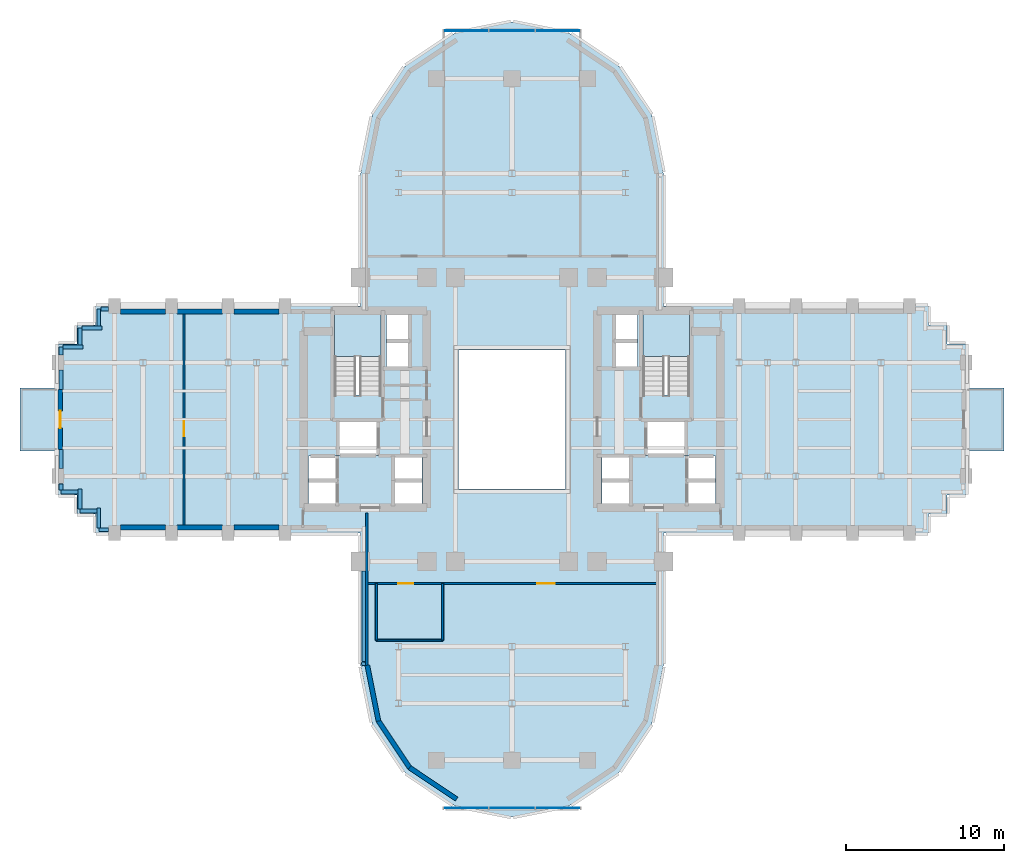
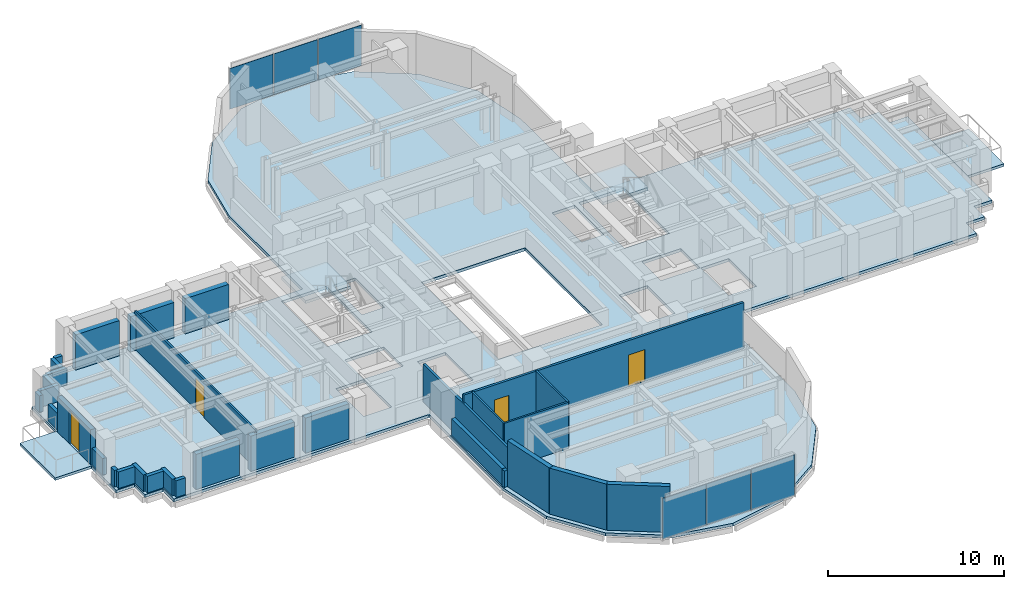
# One storey, part 8 of 14: 32 walls, 6 plates, 5 slabs, 4 doors, 4 openings, 4 elements without a shape of their own.
"""IFC4 building model written with IfcOpenShell, lengths in metres."""

from ifc_helpers import new_model, si_unit, direction, frame, frame_2d, origin, origin_2d, place, context, subcontext, project, spatial, polyline, rectangle, outline, extrude, source, transform, mapped, material, layer, layer_set, type_object, element, fill, aggregate, save


model = new_model("IFC4")

# Units and contexts
model_context = context("Model", 3, precision=1e-05, world=origin(), true_north=direction((0.0, 1.0)))
body_context = subcontext(model_context, "Body", "Model", "MODEL_VIEW")
ifc_project = project(units=[si_unit("LENGTHUNIT", "METRE"), si_unit("AREAUNIT", "SQUARE_METRE"), si_unit("VOLUMEUNIT", "CUBIC_METRE"), si_unit("PLANEANGLEUNIT", "RADIAN"), si_unit("MASSUNIT", "GRAM", prefix="KILO")], contexts=[model_context])

# Site, building, storey
site_placement = place(None, origin())
site = spatial("IfcSite", under=ifc_project, at=site_placement, CompositionType="ELEMENT")
building_placement = place(site_placement, origin())
building = spatial("IfcBuilding", under=site, at=building_placement, Name="Keilestroom Media Tower", CompositionType="ELEMENT")
storey_placement = place(building_placement, frame((0.0, 0.0, 44.199951171875)))
storey = spatial("IfcBuildingStorey", under=building, at=storey_placement, Name="L10", CompositionType="ELEMENT", Elevation=44.199951171875)

# Slabs
ifc_material_1 = material(Name="Concrete C50/60", Category="concrete")
ifc_layer_1 = layer(ifc_material_1, 0.199951171875)
ifc_layer_set_1 = layer_set([ifc_layer_1], Name="Concrete C50/60")
slab_type_1 = type_object("IfcSlabType", Name="Composite-Floor-Slab-200", PredefinedType="FLOOR", material=ifc_layer_set_1)
slab_1_placement = place(storey_placement, frame((0.0, 0.0, -0.199951171875)))
element("IfcSlab", 1, at=slab_1_placement, inside=storey, type_object=slab_type_1, Name="L10 Structural Composite Floor Slab", PredefinedType="FLOOR", context=body_context, shape_type="SweptSolid", body=[
    extrude(outline(polyline([(28.800048828125, -4.800048828125), (28.800048828125, 4.800048828125), (27.60009765625, 4.800048828125), (27.60009765625, 6.0), (26.39990234375, 6.0), (26.39990234375, 7.199951171875), (9.60009765625, 7.199951171875), (9.60009765625, 9.60009765625), (9.60009765625, 15.60009765625), (8.869140625, 19.273681640625), (6.7880859375, 22.38818359375), (3.673828125, 24.46923828125), (0.0, 25.199951171875), (-3.673828125, 24.46923828125), (-6.7880859375, 22.38818359375), (-8.869140625, 19.273681640625), (-9.60009765625, 15.60009765625), (-9.60009765625, 9.60009765625), (-9.60009765625, 7.199951171875), (-26.39990234375, 7.199951171875), (-26.39990234375, 6.0), (-27.60009765625, 6.0), (-27.60009765625, 4.800048828125), (-28.800048828125, 4.800048828125), (-28.800048828125, -4.800048828125), (-27.60009765625, -4.800048828125), (-27.60009765625, -6.0), (-26.39990234375, -6.0), (-26.39990234375, -7.199951171875), (-9.60009765625, -7.199951171875), (-9.60009765625, -9.60009765625), (-9.60009765625, -15.60009765625), (-8.869140625, -19.273681640625), (-6.7880859375, -22.38818359375), (-3.673828125, -24.46923828125), (0.0, -25.199951171875), (3.673828125, -24.46923828125), (6.7880859375, -22.38818359375), (8.869140625, -19.273681640625), (9.60009765625, -15.60009765625), (9.60009765625, -9.60009765625), (9.60009765625, -7.199951171875), (26.39990234375, -7.199951171875), (26.39990234375, -6.0), (27.60009765625, -6.0), (27.60009765625, -4.800048828125), (28.800048828125, -4.800048828125)]), holes=[polyline([(-12.919921875, -5.47998046875), (-12.919921875, -2.320068359375), (-11.080078125, -2.320068359375), (-11.080078125, -5.47998046875), (-12.919921875, -5.47998046875)]), polyline([(-11.260009765625, 1.544921875), (-11.260009765625, 6.760009765625), (-8.300048828125, 6.760009765625), (-8.300048828125, 1.544921875), (-11.260009765625, 1.544921875)]), polyline([(-11.050048828125, -2.280029296875), (-11.050048828125, -0.10009765625), (-8.47998046875, -0.10009765625), (-8.47998046875, -2.280029296875), (-11.050048828125, -2.280029296875)]), polyline([(-7.949951171875, 3.300048828125), (-7.949951171875, 6.64990234375), (-6.47998046875, 6.64990234375), (-6.47998046875, 3.300048828125), (-7.949951171875, 3.300048828125)]), polyline([(-7.56005859375, -5.47998046875), (-7.56005859375, -2.320068359375), (-5.719970703125, -2.320068359375), (-5.719970703125, -5.47998046875), (-7.56005859375, -5.47998046875)]), polyline([(-3.39990234375, -4.39990234375), (-3.39990234375, 4.39990234375), (3.39990234375, 4.39990234375), (3.39990234375, -4.39990234375), (-3.39990234375, -4.39990234375)]), polyline([(5.719970703125, -5.47998046875), (5.719970703125, -2.320068359375), (7.56005859375, -2.320068359375), (7.56005859375, -5.47998046875), (5.719970703125, -5.47998046875)]), polyline([(7.949951171875, 6.64990234375), (7.949951171875, 3.300048828125), (6.47998046875, 3.300048828125), (6.47998046875, 6.64990234375), (7.949951171875, 6.64990234375)]), polyline([(8.300048828125, 6.760009765625), (11.260009765625, 6.760009765625), (11.260009765625, 1.544921875), (8.300048828125, 1.544921875), (8.300048828125, 6.760009765625)]), polyline([(8.47998046875, -2.280029296875), (8.47998046875, -0.10009765625), (11.050048828125, -0.10009765625), (11.050048828125, -2.280029296875), (8.47998046875, -2.280029296875)]), polyline([(12.919921875, -5.47998046875), (11.080078125, -5.47998046875), (11.080078125, -2.320068359375), (12.919921875, -2.320068359375), (12.919921875, -5.47998046875)])]), origin(), (0.0, 0.0, 1.0), 0.199951171875),
])
ifc_material_2 = material(Name="Concrete C45/55", Category="concrete")
ifc_layer_2 = layer(ifc_material_2, 0.179931640625)
ifc_layer_set_2 = layer_set([ifc_layer_2], Name="Concrete C45/55")
slab_type_2 = type_object("IfcSlabType", Name="Exterior-Terrace-And-Sky-Garden-Slab-180", PredefinedType="FLOOR", material=ifc_layer_set_2)
slab_2_placement = place(storey_placement, frame((0.0, 0.0, -0.179931640625)))
element("IfcSlab", 2, at=slab_2_placement, inside=storey, type_object=slab_type_2, Name="L10 Winter-Garden Balcony Slab L10-BAL-W", PredefinedType="FLOOR", context=body_context, shape_type="SweptSolid", body=[
    extrude(outline(polyline([(-31.199951171875, -2.0), (-28.800048828125, -2.0), (-28.800048828125, 2.0), (-31.199951171875, 2.0), (-31.199951171875, -2.0)])), origin(), (0.0, 0.0, 1.0), 0.179931640625),
])
slab_3_placement = place(storey_placement, frame((0.0, 0.0, -0.179931640625)))
element("IfcSlab", 3, at=slab_3_placement, inside=storey, type_object=slab_type_2, Name="L10 Winter-Garden Balcony Slab L10-BAL-E", PredefinedType="FLOOR", context=body_context, shape_type="SweptSolid", body=[
    extrude(outline(polyline([(28.800048828125, -2.0), (31.199951171875, -2.0), (31.199951171875, 2.0), (28.800048828125, 2.0), (28.800048828125, -2.0)])), origin(), (0.0, 0.0, 1.0), 0.179931640625),
])

# Stair, slab
stair_type = type_object("IfcStairType", Name="Enclosed-Dog-Leg-Stair-ST-CORE", PredefinedType="HALF_TURN_STAIR", material=ifc_material_2)
stair_1_placement = place(storey_placement, origin())
stair_1 = element("IfcStair", 4, at=stair_1_placement, inside=storey, type_object=stair_type, Name="L10 West Core Escape Stair ST-1", PredefinedType="HALF_TURN_STAIR")
ifc_layer_3 = layer(ifc_material_2, 0.199951171875)
ifc_layer_set_3 = layer_set([ifc_layer_3], Name="Concrete C45/55")
slab_type_3 = type_object("IfcSlabType", Name="Stair-Intermediate-And-Top-Landing-Slab-200", PredefinedType="LANDING", material=ifc_layer_set_3)
slab_4_placement = place(storey_placement, frame((0.0, 0.0, 1.5)))
slab_4 = element("IfcSlab", 5, at=slab_4_placement, type_object=slab_type_3, Name="ST-1 landing 1", PredefinedType="LANDING", context=body_context, shape_type="SweptSolid", body=[
    extrude(outline(polyline([(-8.300048828125, 3.99609375), (-8.300048828125, 6.760009765625), (-11.260009765625, 6.760009765625), (-11.260009765625, 3.99609375), (-8.300048828125, 3.99609375)])), origin(), (0.0, 0.0, 1.0), 0.199951171875),
])
aggregate(stair_1, [slab_4])

stair_2_placement = place(storey_placement, origin())
stair_2 = element("IfcStair", 6, at=stair_2_placement, inside=storey, type_object=stair_type, Name="L10 East Core Escape Stair ST-2", PredefinedType="HALF_TURN_STAIR")
slab_5_placement = place(storey_placement, frame((0.0, 0.0, 1.5)))
slab_5 = element("IfcSlab", 7, at=slab_5_placement, type_object=slab_type_3, Name="ST-2 landing 1", PredefinedType="LANDING", context=body_context, shape_type="SweptSolid", body=[
    extrude(outline(polyline([(11.260009765625, 3.99609375), (11.260009765625, 6.760009765625), (8.300048828125, 6.760009765625), (8.300048828125, 3.99609375), (11.260009765625, 3.99609375)])), origin(), (0.0, 0.0, 1.0), 0.199951171875),
])
aggregate(stair_2, [slab_5])

# Curtain wall, plates
ifc_material_3 = material(Name="Anodised Aluminium Alloy", Category="aluminium")
curtain_wall_type = type_object("IfcCurtainWallType", Name="Unitised-Curtain-Wall-CW-6", PredefinedType="NOTDEFINED", material=ifc_material_3)
curtain_wall_1_placement = place(storey_placement, origin())
curtain_wall_1 = element("IfcCurtainWall", 8, at=curtain_wall_1_placement, inside=storey, type_object=curtain_wall_type, Name="L10 Curtain Wall CW-6 CW-L10-LN-1", PredefinedType="NOTDEFINED")
ifc_material_4 = material(Name="Curved-Facet Triple Glazed Unit", Category="glass")
ifc_layer_4 = layer(ifc_material_4, 0.033935546875)
ifc_layer_set_4 = layer_set([ifc_layer_4], Name="Curved-Facet Triple Glazed Unit")
plate_type = type_object("IfcPlateType", Name="Insulated-Curtain-Wall-Glazing-Panel-CW-6", PredefinedType="CURTAIN_PANEL", material=ifc_layer_set_4)
shared_shape_1 = source(origin(), body_context, "Body", "SweptSolid", [
    extrude(rectangle(XDim=2.84375, YDim=0.033935546875, at=origin_2d()), origin(), (0.0, 0.0, 1.0), 2.833984375),
])
plate_1_placement = place(storey_placement, frame((-2.9169921875, 24.64990234375, 0.072998046875), z_axis=(0.0, 0.0, 1.0), x_axis=(1.0, 0.0, 0.0)))
plate_1 = element("IfcPlate", 9, at=plate_1_placement, type_object=plate_type, Name="CW-6 Unitised Glazing 00", PredefinedType="CURTAIN_PANEL", context=body_context, shape_type="MappedRepresentation", body=[
    mapped(shared_shape_1, transform((0.0, 0.0, 0.0), x_axis=(1.0, 0.0, 0.0), y_axis=(0.0, 1.0, 0.0), z_axis=(0.0, 0.0, 1.0), scale=1.0)),
])
plate_2_placement = place(storey_placement, frame((2.9169921875, 24.64990234375, 0.072998046875), z_axis=(0.0, 0.0, 1.0), x_axis=(1.0, 0.0, 0.0)))
plate_2 = element("IfcPlate", 10, at=plate_2_placement, type_object=plate_type, Name="CW-6 Unitised Glazing 02", PredefinedType="CURTAIN_PANEL", context=body_context, shape_type="MappedRepresentation", body=[
    mapped(shared_shape_1, transform((0.0, 0.0, 0.0), x_axis=(1.0, 0.0, 0.0), y_axis=(0.0, 1.0, 0.0), z_axis=(0.0, 0.0, 1.0), scale=1.0)),
])

curtain_wall_2_placement = place(storey_placement, origin())
curtain_wall_2 = element("IfcCurtainWall", 11, at=curtain_wall_2_placement, inside=storey, type_object=curtain_wall_type, Name="L10 Curtain Wall CW-6 CW-L10-LS-1", PredefinedType="NOTDEFINED")
plate_3_placement = place(storey_placement, frame((-2.9169921875, -24.64990234375, 0.072998046875), z_axis=(0.0, 0.0, 1.0), x_axis=(1.0, 0.0, 0.0)))
plate_3 = element("IfcPlate", 12, at=plate_3_placement, type_object=plate_type, Name="CW-6 Unitised Glazing 00", PredefinedType="CURTAIN_PANEL", context=body_context, shape_type="MappedRepresentation", body=[
    mapped(shared_shape_1, transform((0.0, 0.0, 0.0), x_axis=(1.0, 0.0, 0.0), y_axis=(0.0, 1.0, 0.0), z_axis=(0.0, 0.0, 1.0), scale=1.0)),
])
plate_4_placement = place(storey_placement, frame((2.9169921875, -24.64990234375, 0.072998046875), z_axis=(0.0, 0.0, 1.0), x_axis=(1.0, 0.0, 0.0)))
plate_4 = element("IfcPlate", 13, at=plate_4_placement, type_object=plate_type, Name="CW-6 Unitised Glazing 02", PredefinedType="CURTAIN_PANEL", context=body_context, shape_type="MappedRepresentation", body=[
    mapped(shared_shape_1, transform((0.0, 0.0, 0.0), x_axis=(1.0, 0.0, 0.0), y_axis=(0.0, 1.0, 0.0), z_axis=(0.0, 0.0, 1.0), scale=1.0)),
])

# Plate
shared_shape_2 = source(origin(), body_context, "Body", "SweptSolid", [
    extrude(rectangle(XDim=2.876220703125, YDim=0.033935546875, at=origin_2d()), origin(), (0.0, 0.0, 1.0), 2.833984375),
])
plate_5_placement = place(storey_placement, frame((0.0, 24.64990234375, 0.072998046875), z_axis=(0.0, 0.0, 1.0), x_axis=(1.0, 0.0, 0.0)))
plate_5 = element("IfcPlate", 14, at=plate_5_placement, type_object=plate_type, Name="CW-6 Unitised Glazing 01", PredefinedType="CURTAIN_PANEL", context=body_context, shape_type="MappedRepresentation", body=[
    mapped(shared_shape_2, transform((0.0, 0.0, 0.0), x_axis=(1.0, 0.0, 0.0), y_axis=(0.0, 1.0, 0.0), z_axis=(0.0, 0.0, 1.0), scale=1.0)),
])

aggregate(curtain_wall_1, [plate_1, plate_5, plate_2])

plate_6_placement = place(storey_placement, frame((0.0, -24.64990234375, 0.072998046875), z_axis=(0.0, 0.0, 1.0), x_axis=(1.0, 0.0, 0.0)))
plate_6 = element("IfcPlate", 15, at=plate_6_placement, type_object=plate_type, Name="CW-6 Unitised Glazing 01", PredefinedType="CURTAIN_PANEL", context=body_context, shape_type="MappedRepresentation", body=[
    mapped(shared_shape_2, transform((0.0, 0.0, 0.0), x_axis=(1.0, 0.0, 0.0), y_axis=(0.0, 1.0, 0.0), z_axis=(0.0, 0.0, 1.0), scale=1.0)),
])

aggregate(curtain_wall_2, [plate_3, plate_6, plate_4])

# Walls
ifc_material_5 = material(Name="Precast concrete C40/50", Category="concrete")
ifc_layer_5 = layer(ifc_material_5, 0.300048828125)
ifc_layer_set_5 = layer_set([ifc_layer_5], Name="Precast concrete C40/50")
wall_type_1 = type_object("IfcWallType", Name="Exterior-Masonry-Spandrel-Wall-300", PredefinedType="SOLIDWALL", material=ifc_layer_set_5)
for number, where, z_axis, x_axis, name in (
    (16, (-9.1748046875, -15.585205078125, 0.0), (0.0, 0.0, 1.0), (0.195114232679, -0.980780523974, 0.0), "L10 Lobe Facet Precast Frame Wall 07"),
    (17, (-8.48193359375, -19.097412109375, 0.0), (0.0, 0.0, 1.0), (0.555574187116, -0.831466970246, 0.0), "L10 Lobe Facet Precast Frame Wall 08"),
):
    element("IfcWall", number, at=place(storey_placement, frame(where, z_axis=z_axis, x_axis=x_axis)), inside=storey, type_object=wall_type_1, Name=name, PredefinedType="SOLIDWALL", context=body_context, shape_type="SweptSolid", body=[
        extrude(rectangle(XDim=3.608642578125, YDim=0.300048828125, at=frame_2d((1.80419921875, 0.0))), origin(), (0.0, 0.0, 1.0), 3.199951171875),
    ])
wall_1_placement = place(storey_placement, frame((-6.497802734375, -22.0771484375, 0.0), z_axis=(0.0, 0.0, 1.0), x_axis=(0.8314749531, -0.555562239868, 0.0)))
element("IfcWall", 18, at=wall_1_placement, inside=storey, type_object=wall_type_1, Name="L10 Lobe Facet Precast Frame Wall 09", PredefinedType="SOLIDWALL", context=body_context, shape_type="SweptSolid", body=[
    extrude(rectangle(XDim=3.59326171875, YDim=0.300048828125, at=frame_2d((1.796630859375, 0.0))), origin(), (0.0, 0.0, 1.0), 3.199951171875),
])

# Wall, opening, door
wall_2_placement = place(storey_placement, frame((-28.64990234375, -1.89990234375, 0.0), z_axis=(0.0, 0.0, 1.0), x_axis=(0.0, 1.0, 0.0)))
wall_2 = element("IfcWall", 19, at=wall_2_placement, inside=storey, type_object=wall_type_1, Name="L10 Terrace Threshold Wall L10-W", PredefinedType="SOLIDWALL", context=body_context, shape_type="SweptSolid", body=[
    extrude(rectangle(XDim=3.7998046875, YDim=0.300048828125, at=frame_2d((1.89990234375, 0.0))), origin(), (0.0, 0.0, 1.0), 2.449951171875),
])
opening_1_placement = place(wall_2_placement, frame((1.35009765625, 0.0, 0.0)))
opening_1 = element("IfcOpeningElement", 20, at=opening_1_placement, cuts=wall_2, Name="Opening DE-02", PredefinedType="OPENING", context=body_context, shape_type="SweptSolid", body=[
    extrude(rectangle(XDim=1.10009765625, YDim=2.300048828125, at=frame_2d((0.550048828125, 1.14990234375))), frame((0.0, 0.16015625, 0.0), z_axis=(0.0, -1.0, 0.0), x_axis=(1.0, 0.0, 0.0)), (0.0, 0.0, 1.0), 0.320068359375),
])
ifc_material_6 = material(Name="Thermally Broken Aluminium & Laminated Glass", Category="aluminium")
door_type_1 = type_object("IfcDoorType", Name="Exterior-Entrance-And-Terrace-Door-DE-02", OperationType="NOTDEFINED", PredefinedType="DOOR", material=ifc_material_6)
shared_shape_3 = source(origin(), body_context, "Body", "SweptSolid", [
    extrude(rectangle(XDim=1.10009765625, YDim=2.300048828125, at=frame_2d((0.550048828125, 1.14990234375))), frame((0.0, 0.02490234375, 0.0), z_axis=(0.0, -1.0, 0.0), x_axis=(1.0, 0.0, 0.0)), (0.0, 0.0, 1.0), 0.050048828125),
])
door_1_placement = place(opening_1_placement, origin())
door_1 = element("IfcDoor", 21, at=door_1_placement, inside=storey, type_object=door_type_1, Name="L10 Terrace Access Door DE-02 L10-W", OperationType="SINGLE_SWING_LEFT", OverallHeight=2.300048828125, OverallWidth=1.10009765625, PredefinedType="DOOR", context=body_context, shape_type="MappedRepresentation", body=[
    mapped(shared_shape_3, transform((0.0, 0.0, 0.0), x_axis=(1.0, 0.0, 0.0), y_axis=(0.0, 1.0, 0.0), z_axis=(0.0, 0.0, 1.0), scale=1.0)),
])
fill(opening_1, door_1)

# Walls
ifc_layer_6 = layer(ifc_material_5, 0.340087890625)
ifc_layer_set_6 = layer_set([ifc_layer_6], Name="Precast concrete C40/50")
wall_type_2 = type_object("IfcWallType", Name="Exterior-Masonry-Spandrel-Wall-340", PredefinedType="SOLIDWALL", material=ifc_layer_set_6)
for number, where, z_axis, x_axis, name in (
    (22, (-24.8330078125, 6.85009765625, 0.0), (0.0, 0.0, 1.0), (1.0, 0.0, 0.0), "L10 Flank Masonry Wall EWL-L10-NW-1"),
    (23, (-21.23291015625, 6.85009765625, 0.0), (0.0, 0.0, 1.0), (1.0, 0.0, 0.0), "L10 Flank Masonry Wall EWL-L10-NW-2"),
    (24, (-17.633056640625, 6.85009765625, 0.0), (0.0, 0.0, 1.0), (1.0, 0.0, 0.0), "L10 Flank Masonry Wall EWL-L10-NW-3"),
    (25, (-24.8330078125, -6.85009765625, 0.0), (0.0, 0.0, 1.0), (1.0, 0.0, 0.0), "L10 Flank Masonry Wall EWL-L10-SW-1"),
    (26, (-21.23291015625, -6.85009765625, 0.0), (0.0, 0.0, 1.0), (1.0, 0.0, 0.0), "L10 Flank Masonry Wall EWL-L10-SW-2"),
    (27, (-17.633056640625, -6.85009765625, 0.0), (0.0, 0.0, 1.0), (1.0, 0.0, 0.0), "L10 Flank Masonry Wall EWL-L10-SW-3"),
):
    element("IfcWall", number, at=place(storey_placement, frame(where, z_axis=z_axis, x_axis=x_axis)), inside=storey, type_object=wall_type_2, Name=name, PredefinedType="SOLIDWALL", context=body_context, shape_type="SweptSolid", body=[
        extrude(rectangle(XDim=2.865966796875, YDim=0.340087890625, at=frame_2d((1.43310546875, 0.0))), origin(), (0.0, 0.0, 1.0), 2.449951171875),
    ])
ifc_material_7 = material(Name="Gypsum Plasterboard & Steel Stud", Category="steel")
ifc_layer_7 = layer(ifc_material_7, 0.1201171875)
ifc_layer_set_7 = layer_set([ifc_layer_7], Name="Gypsum Plasterboard & Steel Stud")
wall_type_3 = type_object("IfcWallType", Name="Interior-Partition-Wall-120", PredefinedType="PARTITIONING", material=ifc_layer_set_7)
wall_3_placement = place(storey_placement, frame((-8.60009765625, -14.0, 0.0), z_axis=(0.0, 0.0, 1.0), x_axis=(1.0, 0.0, 0.0)))
element("IfcWall", 28, at=wall_3_placement, inside=storey, type_object=wall_type_3, Name="L10 Interior Wall WP-L10-SL-WC4-S", PredefinedType="PARTITIONING", context=body_context, shape_type="SweptSolid", body=[
    extrude(rectangle(XDim=4.2001953125, YDim=0.1201171875, at=frame_2d((2.10009765625, 0.0))), origin(), (0.0, 0.0, 1.0), 3.199951171875),
])
for number, where, z_axis, x_axis, name in (
    (29, (-8.60009765625, -14.0, 0.0), (0.0, 0.0, 1.0), (0.0, 1.0, 0.0), "L10 Interior Wall WP-L10-SL-WC4-W"),
    (30, (-4.39990234375, -14.0, 0.0), (0.0, 0.0, 1.0), (0.0, 1.0, 0.0), "L10 Interior Wall WP-L10-SL-WC4-E"),
):
    element("IfcWall", number, at=place(storey_placement, frame(where, z_axis=z_axis, x_axis=x_axis)), inside=storey, type_object=wall_type_3, Name=name, PredefinedType="PARTITIONING", context=body_context, shape_type="SweptSolid", body=[
        extrude(rectangle(XDim=3.60009765625, YDim=0.1201171875, at=frame_2d((1.800048828125, 0.0))), origin(), (0.0, 0.0, 1.0), 3.199951171875),
    ])

# Wall, opening, door
wall_4_placement = place(storey_placement, frame((-20.800048828125, -6.85009765625, 0.0), z_axis=(0.0, 0.0, 1.0), x_axis=(0.0, 1.0, 0.0)))
wall_4 = element("IfcWall", 31, at=wall_4_placement, inside=storey, type_object=wall_type_3, Name="L10 Interior Wall WP-L10-WA-V", PredefinedType="PARTITIONING", context=body_context, shape_type="SweptSolid", body=[
    extrude(rectangle(XDim=13.7001953125, YDim=0.1201171875, at=frame_2d((6.85009765625, 0.0))), origin(), (0.0, 0.0, 1.0), 2.650146484375),
])
opening_2_placement = place(wall_4_placement, frame((5.800048828125, 0.0, 0.0)))
opening_2 = element("IfcOpeningElement", 32, at=opening_2_placement, cuts=wall_4, Name="Opening DI-03", PredefinedType="OPENING", context=body_context, shape_type="SweptSolid", body=[
    extrude(rectangle(XDim=0.949951171875, YDim=2.14990234375, at=frame_2d((0.47509765625, 1.074951171875))), frame((0.0, 0.070068359375, 0.0), z_axis=(0.0, -1.0, 0.0), x_axis=(1.0, 0.0, 0.0)), (0.0, 0.0, 1.0), 0.14013671875),
])
ifc_material_8 = material(Name="Lacquered European Oak Leaf", Category="wood")
door_type_2 = type_object("IfcDoorType", Name="Interior-Room-And-Suite-Door-DI-03", OperationType="NOTDEFINED", PredefinedType="DOOR", material=ifc_material_8)
shared_shape_4 = source(origin(), body_context, "Body", "SweptSolid", [
    extrude(rectangle(XDim=0.949951171875, YDim=2.14990234375, at=frame_2d((0.47509765625, 1.074951171875))), frame((0.0, 0.02490234375, 0.0), z_axis=(0.0, -1.0, 0.0), x_axis=(1.0, 0.0, 0.0)), (0.0, 0.0, 1.0), 0.050048828125),
])
door_2_placement = place(opening_2_placement, origin())
door_2 = element("IfcDoor", 33, at=door_2_placement, inside=storey, type_object=door_type_2, Name="L10 Interior Door DI-L10-DWA-W", OperationType="SINGLE_SWING_LEFT", OverallHeight=2.14990234375, OverallWidth=0.949951171875, PredefinedType="DOOR", context=body_context, shape_type="MappedRepresentation", body=[
    mapped(shared_shape_4, transform((0.0, 0.0, 0.0), x_axis=(1.0, 0.0, 0.0), y_axis=(0.0, 1.0, 0.0), z_axis=(0.0, 0.0, 1.0), scale=1.0)),
])
fill(opening_2, door_2)

# Wall, openings, doors
ifc_layer_8 = layer(ifc_material_7, 0.14990234375)
ifc_layer_set_8 = layer_set([ifc_layer_8], Name="Gypsum Plasterboard & Steel Stud")
wall_type_4 = type_object("IfcWallType", Name="Interior-Partition-Wall-150", PredefinedType="PARTITIONING", material=ifc_layer_set_8)
wall_5_placement = place(storey_placement, frame((-9.199951171875, -10.39990234375, 0.0), z_axis=(0.0, 0.0, 1.0), x_axis=(1.0, 0.0, 0.0)))
wall_5 = element("IfcWall", 34, at=wall_5_placement, inside=storey, type_object=wall_type_4, Name="L10 Interior Wall WP-L10-SL-BASE", PredefinedType="PARTITIONING", context=body_context, shape_type="SweptSolid", body=[
    extrude(rectangle(XDim=18.39990234375, YDim=0.14990234375, at=frame_2d((9.199951171875, 0.0))), origin(), (0.0, 0.0, 1.0), 3.199951171875),
])
opening_3_placement = place(wall_5_placement, frame((2.0, 0.0, 0.0)))
opening_3 = element("IfcOpeningElement", 35, at=opening_3_placement, cuts=wall_5, Name="Opening DI-03", PredefinedType="OPENING", context=body_context, shape_type="SweptSolid", body=[
    extrude(rectangle(XDim=0.949951171875, YDim=2.14990234375, at=frame_2d((0.47509765625, 1.074951171875))), frame((0.0, 0.0849609375, 0.0), z_axis=(0.0, -1.0, 0.0), x_axis=(1.0, 0.0, 0.0)), (0.0, 0.0, 1.0), 0.169921875),
])
opening_4_placement = place(wall_5_placement, frame((10.800048828125, 0.0, 0.0)))
opening_4 = element("IfcOpeningElement", 36, at=opening_4_placement, cuts=wall_5, Name="Opening DI-04", PredefinedType="OPENING", context=body_context, shape_type="SweptSolid", body=[
    extrude(rectangle(XDim=1.10009765625, YDim=2.199951171875, at=frame_2d((0.550048828125, 1.10009765625))), frame((0.0, 0.0849609375, 0.0), z_axis=(0.0, -1.0, 0.0), x_axis=(1.0, 0.0, 0.0)), (0.0, 0.0, 1.0), 0.169921875),
])
door_3_placement = place(opening_3_placement, origin())
door_3 = element("IfcDoor", 37, at=door_3_placement, inside=storey, type_object=door_type_2, Name="L10 Interior Door DI-L10-DSL-WC4", OperationType="SINGLE_SWING_RIGHT", OverallHeight=2.14990234375, OverallWidth=0.949951171875, PredefinedType="DOOR", context=body_context, shape_type="MappedRepresentation", body=[
    mapped(shared_shape_4, transform((0.0, 0.0, 0.0), x_axis=(1.0, 0.0, 0.0), y_axis=(0.0, 1.0, 0.0), z_axis=(0.0, 0.0, 1.0), scale=1.0)),
])
fill(opening_3, door_3)
ifc_material_9 = material(Name="Acoustic Glazed Aluminium Leaf", Category="aluminium")
door_type_3 = type_object("IfcDoorType", Name="Interior-Room-And-Suite-Door-DI-04", OperationType="NOTDEFINED", PredefinedType="DOOR", material=ifc_material_9)
shared_shape_5 = source(origin(), body_context, "Body", "SweptSolid", [
    extrude(rectangle(XDim=1.10009765625, YDim=2.199951171875, at=frame_2d((0.550048828125, 1.10009765625))), frame((0.0, 0.02490234375, 0.0), z_axis=(0.0, -1.0, 0.0), x_axis=(1.0, 0.0, 0.0)), (0.0, 0.0, 1.0), 0.050048828125),
])
door_4_placement = place(opening_4_placement, origin())
door_4 = element("IfcDoor", 38, at=door_4_placement, inside=storey, type_object=door_type_3, Name="L10 Interior Door DI-L10-DSL-RR", OperationType="SINGLE_SWING_LEFT", OverallHeight=2.199951171875, OverallWidth=1.10009765625, PredefinedType="DOOR", context=body_context, shape_type="MappedRepresentation", body=[
    mapped(shared_shape_5, transform((0.0, 0.0, 0.0), x_axis=(1.0, 0.0, 0.0), y_axis=(0.0, 1.0, 0.0), z_axis=(0.0, 0.0, 1.0), scale=1.0)),
])
fill(opening_4, door_4)

# Walls
wall_6_placement = place(storey_placement, frame((-9.199951171875, -15.679931640625, 0.0), z_axis=(0.0, 0.0, 1.0), x_axis=(0.0, 1.0, 0.0)))
element("IfcWall", 39, at=wall_6_placement, inside=storey, type_object=wall_type_4, Name="L10 Interior Wall WP-L10-SL-CHKW", PredefinedType="PARTITIONING", context=body_context, shape_type="SweptSolid", body=[
    extrude(rectangle(XDim=9.739990234375, YDim=0.14990234375, at=frame_2d((4.8701171875, 0.0))), origin(), (0.0, 0.0, 1.0), 2.650146484375),
])
ifc_layer_9 = layer(ifc_material_5, 0.239990234375)
ifc_layer_set_9 = layer_set([ifc_layer_9], Name="Precast concrete C40/50")
wall_type_5 = type_object("IfcWallType", Name="Roof-And-Terrace-Parapet-Wall-240", PredefinedType="PARAPET", material=ifc_layer_set_9)
wall_7_placement = place(storey_placement, frame((-9.395263671875, -15.604248046875, 0.0), z_axis=(0.0, 0.0, 1.0), x_axis=(-0.194652052864, 0.980872355771, 0.0)))
element("IfcWall", 40, at=wall_7_placement, inside=storey, type_object=wall_type_5, Name="L10 Perimeter Edge Parapet Wall 09", PredefinedType="PARAPET", context=body_context, shape_type="SweptSolid", body=[
    extrude(rectangle(XDim=0.224609375, YDim=0.239990234375, at=frame_2d((0.1123046875, 0.0))), origin(), (0.0, 0.0, 1.0), 1.150146484375),
])
wall_8_placement = place(storey_placement, frame((-9.39990234375, -15.357666015625, 0.0), z_axis=(0.0, 0.0, 1.0), x_axis=(0.0, 1.0, 0.0)))
element("IfcWall", 41, at=wall_8_placement, inside=storey, type_object=wall_type_5, Name="L10 Perimeter Edge Parapet Wall 10", PredefinedType="PARAPET", context=body_context, shape_type="SweptSolid", body=[
    extrude(rectangle(XDim=5.754638671875, YDim=0.239990234375, at=frame_2d((2.87744140625, 0.0))), origin(), (0.0, 0.0, 1.0), 1.150146484375),
])
wall_9_placement = place(storey_placement, frame((-25.577880859375, -7.0, 0.0), z_axis=(0.0, 0.0, 1.0), x_axis=(-1.0, 0.0, 0.0)))
element("IfcWall", 42, at=wall_9_placement, inside=storey, type_object=wall_type_5, Name="L10 Perimeter Edge Parapet Wall 13", PredefinedType="PARAPET", context=body_context, shape_type="SweptSolid", body=[
    extrude(rectangle(XDim=0.6220703125, YDim=0.239990234375, at=frame_2d((0.31103515625, 0.0))), origin(), (0.0, 0.0, 1.0), 1.150146484375),
])
wall_10_placement = place(storey_placement, frame((-26.199951171875, -6.876953125, 0.0), z_axis=(0.0, 0.0, 1.0), x_axis=(0.0, 1.0, 0.0)))
element("IfcWall", 43, at=wall_10_placement, inside=storey, type_object=wall_type_5, Name="L10 Perimeter Edge Parapet Wall 14", PredefinedType="PARAPET", context=body_context, shape_type="SweptSolid", body=[
    extrude(rectangle(XDim=1.27685546875, YDim=0.239990234375, at=frame_2d((0.638427734375, 0.0))), origin(), (0.0, 0.0, 1.0), 1.150146484375),
])
wall_11_placement = place(storey_placement, frame((-26.322998046875, -5.800048828125, 0.0), z_axis=(0.0, 0.0, 1.0), x_axis=(-1.0, 0.0, 0.0)))
element("IfcWall", 44, at=wall_11_placement, inside=storey, type_object=wall_type_5, Name="L10 Perimeter Edge Parapet Wall 15", PredefinedType="PARAPET", context=body_context, shape_type="SweptSolid", body=[
    extrude(rectangle(XDim=1.076904296875, YDim=0.239990234375, at=frame_2d((0.53857421875, 0.0))), origin(), (0.0, 0.0, 1.0), 1.150146484375),
])
wall_12_placement = place(storey_placement, frame((-27.39990234375, -5.677001953125, 0.0), z_axis=(0.0, 0.0, 1.0), x_axis=(0.0, 1.0, 0.0)))
element("IfcWall", 45, at=wall_12_placement, inside=storey, type_object=wall_type_5, Name="L10 Perimeter Edge Parapet Wall 16", PredefinedType="PARAPET", context=body_context, shape_type="SweptSolid", body=[
    extrude(rectangle(XDim=1.277099609375, YDim=0.239990234375, at=frame_2d((0.638671875, 0.0))), origin(), (0.0, 0.0, 1.0), 1.150146484375),
])
wall_13_placement = place(storey_placement, frame((-27.52294921875, -4.60009765625, 0.0), z_axis=(0.0, 0.0, 1.0), x_axis=(-1.0, 0.0, 0.0)))
element("IfcWall", 46, at=wall_13_placement, inside=storey, type_object=wall_type_5, Name="L10 Perimeter Edge Parapet Wall 17", PredefinedType="PARAPET", context=body_context, shape_type="SweptSolid", body=[
    extrude(rectangle(XDim=1.0771484375, YDim=0.239990234375, at=frame_2d((0.53857421875, 0.0))), origin(), (0.0, 0.0, 1.0), 1.150146484375),
])
wall_14_placement = place(storey_placement, frame((-28.60009765625, -4.47705078125, 0.0), z_axis=(0.0, 0.0, 1.0), x_axis=(0.0, 1.0, 0.0)))
element("IfcWall", 47, at=wall_14_placement, inside=storey, type_object=wall_type_5, Name="L10 Perimeter Edge Parapet Wall 18", PredefinedType="PARAPET", context=body_context, shape_type="SweptSolid", body=[
    extrude(rectangle(XDim=0.399169921875, YDim=0.239990234375, at=frame_2d((0.19970703125, 0.0))), origin(), (0.0, 0.0, 1.0), 1.150146484375),
])
for number, where, z_axis, x_axis, name in (
    (48, (-28.60009765625, -3.1220703125, 0.0), (0.0, 0.0, 1.0), (0.0, 1.0, 0.0), "L10 Perimeter Edge Parapet Wall 19"),
    (49, (-28.60009765625, 1.903076171875, 0.0), (0.0, 0.0, 1.0), (0.0, 1.0, 0.0), "L10 Perimeter Edge Parapet Wall 20"),
):
    element("IfcWall", number, at=place(storey_placement, frame(where, z_axis=z_axis, x_axis=x_axis)), inside=storey, type_object=wall_type_5, Name=name, PredefinedType="PARAPET", context=body_context, shape_type="SweptSolid", body=[
        extrude(rectangle(XDim=1.218994140625, YDim=0.239990234375, at=frame_2d((0.609375, 0.0))), origin(), (0.0, 0.0, 1.0), 1.150146484375),
    ])
wall_15_placement = place(storey_placement, frame((-28.60009765625, 4.077880859375, 0.0), z_axis=(0.0, 0.0, 1.0), x_axis=(0.0, 1.0, 0.0)))
element("IfcWall", 50, at=wall_15_placement, inside=storey, type_object=wall_type_5, Name="L10 Perimeter Edge Parapet Wall 21", PredefinedType="PARAPET", context=body_context, shape_type="SweptSolid", body=[
    extrude(rectangle(XDim=0.522216796875, YDim=0.239990234375, at=frame_2d((0.26123046875, 0.0))), origin(), (0.0, 0.0, 1.0), 1.150146484375),
])
wall_16_placement = place(storey_placement, frame((-28.47705078125, 4.60009765625, 0.0), z_axis=(0.0, 0.0, 1.0), x_axis=(1.0, 0.0, 0.0)))
element("IfcWall", 51, at=wall_16_placement, inside=storey, type_object=wall_type_5, Name="L10 Perimeter Edge Parapet Wall 22", PredefinedType="PARAPET", context=body_context, shape_type="SweptSolid", body=[
    extrude(rectangle(XDim=1.277099609375, YDim=0.239990234375, at=frame_2d((0.638671875, 0.0))), origin(), (0.0, 0.0, 1.0), 1.150146484375),
])
wall_17_placement = place(storey_placement, frame((-27.39990234375, 4.722900390625, 0.0), z_axis=(0.0, 0.0, 1.0), x_axis=(0.0, 1.0, 0.0)))
element("IfcWall", 52, at=wall_17_placement, inside=storey, type_object=wall_type_5, Name="L10 Perimeter Edge Parapet Wall 23", PredefinedType="PARAPET", context=body_context, shape_type="SweptSolid", body=[
    extrude(rectangle(XDim=1.0771484375, YDim=0.239990234375, at=frame_2d((0.53857421875, 0.0))), origin(), (0.0, 0.0, 1.0), 1.150146484375),
])
wall_18_placement = place(storey_placement, frame((-27.277099609375, 5.800048828125, 0.0), z_axis=(0.0, 0.0, 1.0), x_axis=(1.0, 0.0, 0.0)))
element("IfcWall", 53, at=wall_18_placement, inside=storey, type_object=wall_type_5, Name="L10 Perimeter Edge Parapet Wall 24", PredefinedType="PARAPET", context=body_context, shape_type="SweptSolid", body=[
    extrude(rectangle(XDim=1.277099609375, YDim=0.239990234375, at=frame_2d((0.638671875, 0.0))), origin(), (0.0, 0.0, 1.0), 1.150146484375),
])
wall_19_placement = place(storey_placement, frame((-26.199951171875, 5.923095703125, 0.0), z_axis=(0.0, 0.0, 1.0), x_axis=(0.0, 1.0, 0.0)))
element("IfcWall", 54, at=wall_19_placement, inside=storey, type_object=wall_type_5, Name="L10 Perimeter Edge Parapet Wall 25", PredefinedType="PARAPET", context=body_context, shape_type="SweptSolid", body=[
    extrude(rectangle(XDim=1.076904296875, YDim=0.239990234375, at=frame_2d((0.53857421875, 0.0))), origin(), (0.0, 0.0, 1.0), 1.150146484375),
])
wall_20_placement = place(storey_placement, frame((-26.076904296875, 7.0, 0.0), z_axis=(0.0, 0.0, 1.0), x_axis=(1.0, 0.0, 0.0)))
element("IfcWall", 55, at=wall_20_placement, inside=storey, type_object=wall_type_5, Name="L10 Perimeter Edge Parapet Wall 26", PredefinedType="PARAPET", context=body_context, shape_type="SweptSolid", body=[
    extrude(rectangle(XDim=0.4990234375, YDim=0.239990234375, at=frame_2d((0.24951171875, 0.0))), origin(), (0.0, 0.0, 1.0), 1.150146484375),
])

save(model, "model.ifc")
